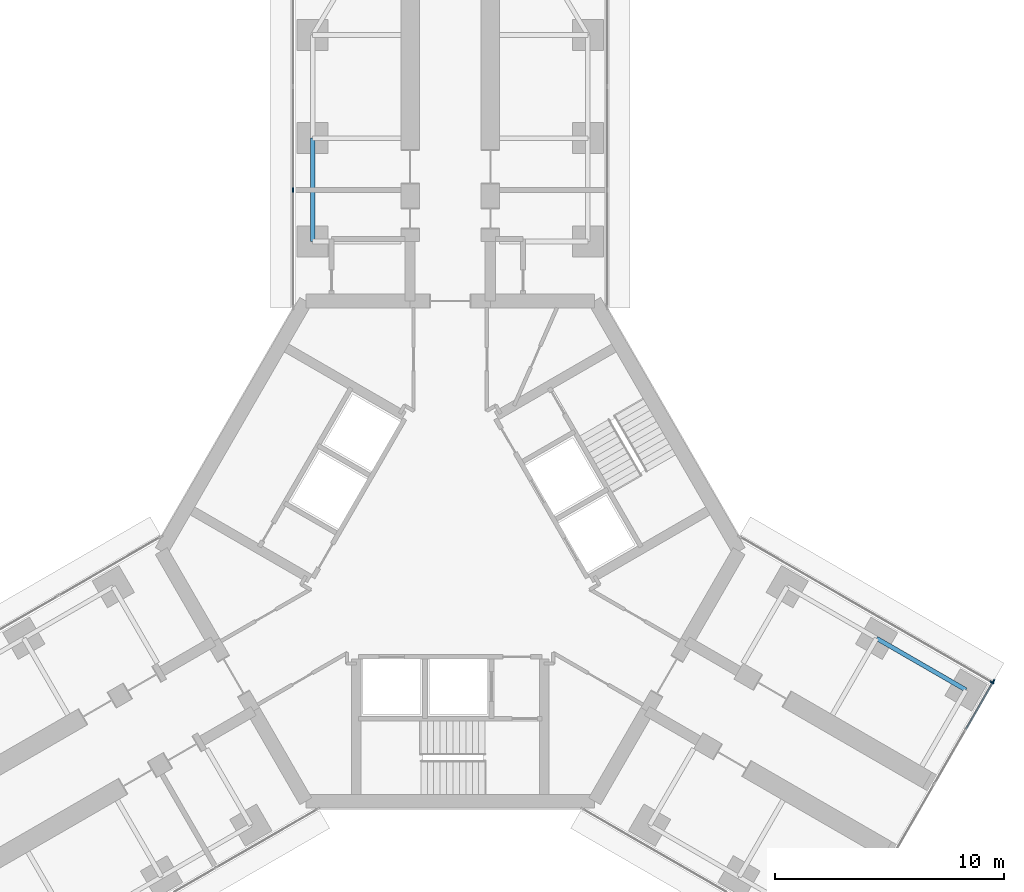
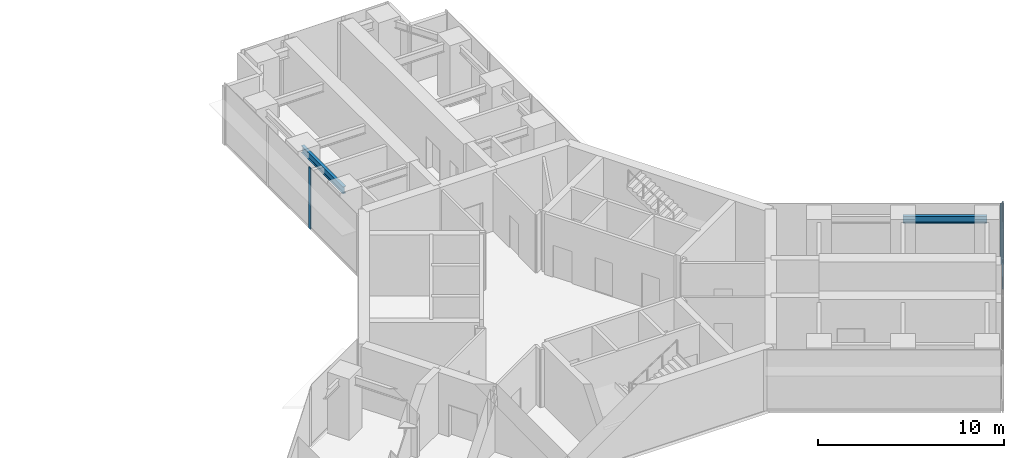
# One storey, part 11 of 21: 4 members, 2 beams, 3 elements without a shape of their own.
"""IFC4 building model written with IfcOpenShell, lengths in metres."""

from ifc_helpers import new_model, si_unit, direction, frame, origin, origin_2d, place, context, subcontext, project, spatial, rectangle, i_section, extrude, material, material_profile, profile_set, type_object, element, aggregate, save


model = new_model("IFC4")

# Units and contexts
model_context = context("Model", 3, precision=1e-05, world=origin(), true_north=direction((0.0, 1.0)))
body_context = subcontext(model_context, "Body", "Model", "MODEL_VIEW")
ifc_project = project(units=[si_unit("LENGTHUNIT", "METRE"), si_unit("AREAUNIT", "SQUARE_METRE"), si_unit("VOLUMEUNIT", "CUBIC_METRE"), si_unit("PLANEANGLEUNIT", "RADIAN"), si_unit("MASSUNIT", "GRAM", prefix="KILO")], contexts=[model_context])

# Site, building, storey
site_placement = place(None, origin())
site = spatial("IfcSite", under=ifc_project, at=site_placement, CompositionType="ELEMENT")
building_placement = place(site_placement, origin())
building = spatial("IfcBuilding", under=site, at=building_placement, Name="Upepo Twin Towers", CompositionType="ELEMENT")
storey_placement = place(building_placement, frame((0.0, 0.0, 101.5)))
storey = spatial("IfcBuildingStorey", under=building, at=storey_placement, Name="L24", CompositionType="ELEMENT", Elevation=101.5)

# Beams
ifc_material_1 = material(Name="Steel S355", Category="steel")
ifc_material_profile_1 = material_profile(ifc_material_1, i_section(OverallWidth=0.1904296875, OverallDepth=0.45703125, WebThickness=0.009033203125, FlangeThickness=0.014404296875, FilletRadius=0.01025390625, at=origin_2d()), Name="UB 457x191x74")
ifc_profile_set_1 = profile_set([ifc_material_profile_1], Name="Steel S355")
beam_type = type_object("IfcBeamType", Name="Beam UB 457x191x74", PredefinedType="BEAM", material=ifc_profile_set_1)
for number, where, z_axis, x_axis, name in (
    (1, (52.5, -4.5, 3.571533203125), (0.0, 1.0, 0.0), (-1.0, 0.0, 0.0), "T2 edge beam AL 13.5-18.0"),
    (2, (77.08837890625, -21.803955078125, 3.571533203125), (0.866031096941, -0.499990139034, 0.0), (0.499990139034, 0.866031096941, 0.0), "T2 edge beam CL 18.0-22.5"),
):
    element("IfcBeam", number, at=place(storey_placement, frame(where, z_axis=z_axis, x_axis=x_axis)), inside=storey, type_object=beam_type, Name=name, PredefinedType="BEAM", context=body_context, shape_type="SweptSolid", body=[
        extrude(i_section(OverallWidth=0.1904296875, OverallDepth=0.45703125, WebThickness=0.009033203125, FlangeThickness=0.014404296875, FilletRadius=0.01025390625, at=origin_2d()), origin(), (0.0, 0.0, 1.0), 4.5),
    ])

# Curtain wall, member
ifc_material_2 = material(Name="Aluminium and fritted glass", Category="aluminium")
curtain_wall_type = type_object("IfcCurtainWallType", Name="Tower curtain wall TW2, fritted glass", PredefinedType="NOTDEFINED", material=ifc_material_2)
curtain_wall_1_placement = place(storey_placement, origin())
curtain_wall_1 = element("IfcCurtainWall", 3, at=curtain_wall_1_placement, inside=storey, type_object=curtain_wall_type, Name="T2 L24 wing A flank L curtain wall", PredefinedType="NOTDEFINED")
ifc_material_3 = material(Name="Aluminium mullion", Category="aluminium")
ifc_material_profile_2 = material_profile(ifc_material_3, rectangle(XDim=0.06494140625, YDim=0.199951171875, at=origin_2d()), Name="MULLION 65x200")
ifc_profile_set_2 = profile_set([ifc_material_profile_2], Name="Aluminium mullion")
member_type_1 = type_object("IfcMemberType", Name="Mullion 65x200 TW2", PredefinedType="MULLION", material=ifc_profile_set_2)
member_1_placement = place(storey_placement, frame((51.64990234375, -2.25, 0.0), z_axis=(0.0, 0.0, 1.0), x_axis=(-1.0, 0.0, 0.0)))
member_1 = element("IfcMember", 4, at=member_1_placement, type_object=member_type_1, Name="T2 L24 wing A flank L curtain wall mullion 2", PredefinedType="MULLION", context=body_context, shape_type="SweptSolid", body=[
    extrude(rectangle(XDim=0.06494140625, YDim=0.199951171875, at=origin_2d()), origin(), (0.0, 0.0, 1.0), 4.0),
])
aggregate(curtain_wall_1, [member_1])

curtain_wall_2_placement = place(storey_placement, origin())
curtain_wall_2 = element("IfcCurtainWall", 5, at=curtain_wall_2_placement, inside=storey, type_object=curtain_wall_type, Name="T2 L24 wing C flank L curtain wall", PredefinedType="NOTDEFINED")
member_2_placement = place(storey_placement, frame((82.11865234375, -23.7265625, 0.0), z_axis=(0.0, 0.0, 1.0), x_axis=(0.50000000792, 0.866025399212, 0.0)))
member_2 = element("IfcMember", 6, at=member_2_placement, type_object=member_type_1, Name="T2 L24 wing C flank L curtain wall mullion 2", PredefinedType="MULLION", context=body_context, shape_type="SweptSolid", body=[
    extrude(rectangle(XDim=0.06494140625, YDim=0.199951171875, at=origin_2d()), origin(), (0.0, 0.0, 1.0), 4.0),
])
aggregate(curtain_wall_2, [member_2])

# Curtain wall, members
curtain_wall_3_placement = place(storey_placement, origin())
curtain_wall_3 = element("IfcCurtainWall", 7, at=curtain_wall_3_placement, inside=storey, type_object=curtain_wall_type, Name="T2 L24 wing C nose curtain wall", PredefinedType="NOTDEFINED")
member_3_placement = place(storey_placement, frame((82.180419921875, -23.684326171875, 0.0), z_axis=(0.0, 0.0, 1.0), x_axis=(-0.866025419745, 0.499999972355, 0.0)))
member_3 = element("IfcMember", 8, at=member_3_placement, type_object=member_type_1, Name="T2 L24 wing C nose curtain wall mullion 6", PredefinedType="MULLION", context=body_context, shape_type="SweptSolid", body=[
    extrude(rectangle(XDim=0.06494140625, YDim=0.199951171875, at=origin_2d()), origin(), (0.0, 0.0, 1.0), 4.0),
])
ifc_material_4 = material(Name="Aluminium transom", Category="aluminium")
ifc_material_profile_3 = material_profile(ifc_material_4, rectangle(XDim=0.06494140625, YDim=0.14990234375, at=origin_2d()), Name="TRANSOM 65x150")
ifc_profile_set_3 = profile_set([ifc_material_profile_3], Name="Aluminium transom")
member_type_2 = type_object("IfcMemberType", Name="Transom 65x150 TW2", PredefinedType="USERDEFINED", material=ifc_profile_set_3)
member_4_placement = place(storey_placement, frame((80.988037109375, -25.749755859375, 0.074951171875), z_axis=(0.50000093428, 0.866024864377, 0.0), x_axis=(-0.866024864377, 0.50000093428, 0.0)))
member_4 = element("IfcMember", 9, at=member_4_placement, type_object=member_type_2, Name="T2 L24 wing C nose curtain wall transom 5", ObjectType="TRANSOM", PredefinedType="USERDEFINED", context=body_context, shape_type="SweptSolid", body=[
    extrude(rectangle(XDim=0.06494140625, YDim=0.14990234375, at=origin_2d()), origin(), (0.0, 0.0, 1.0), 2.3525390625),
])
aggregate(curtain_wall_3, [member_3, member_4])

save(model, "model.ifc")
